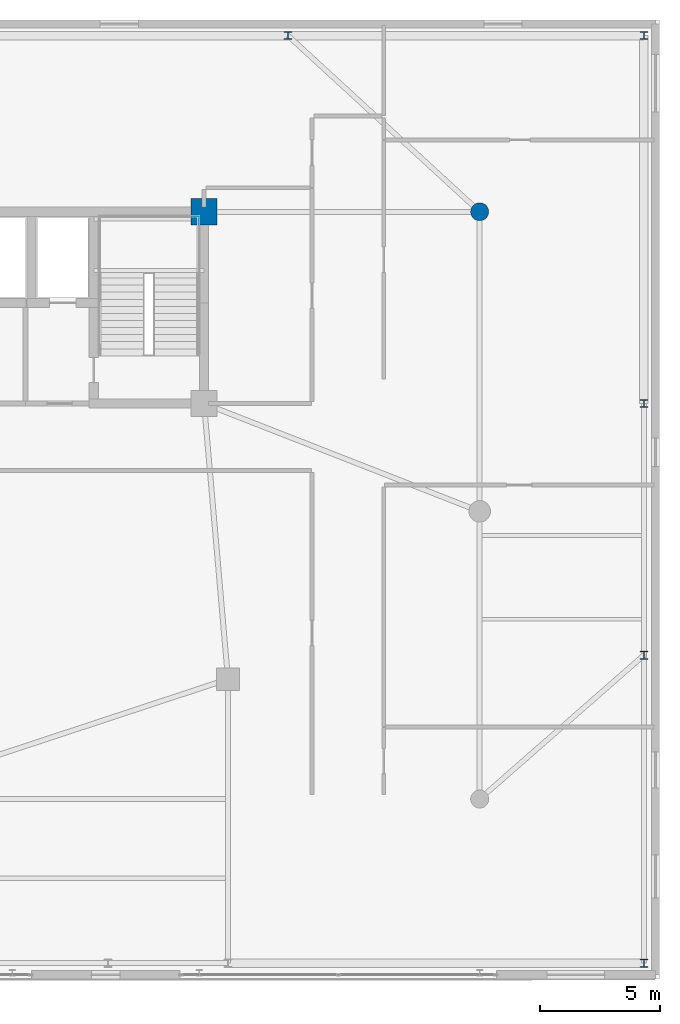
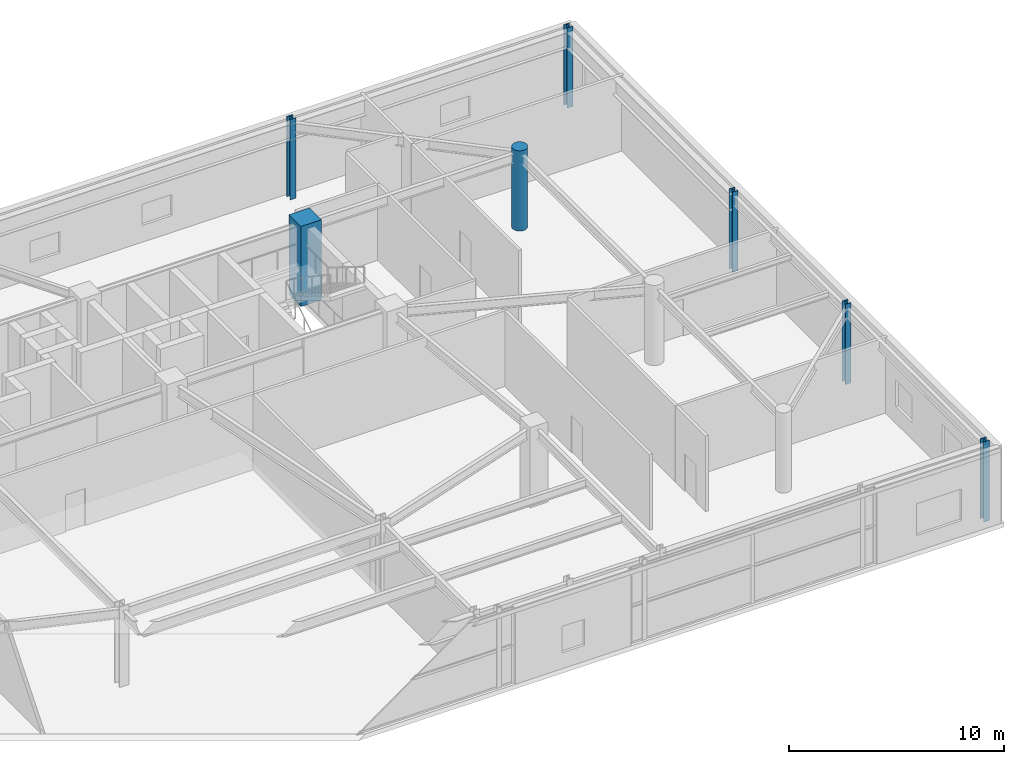
# One storey, part 5 of 26: 7 columns.
"""IFC4 building model written with IfcOpenShell, lengths in metres."""

from ifc_helpers import new_model, si_unit, direction, frame, origin, origin_2d, place, context, subcontext, project, spatial, rectangle, circle, i_section, extrude, source, transform, mapped, material, material_profile, profile_set, type_object, element, save


model = new_model("IFC4")

# Units and contexts
model_context = context("Model", 3, precision=1e-05, world=origin(), true_north=direction((0.0, 1.0)))
body_context = subcontext(model_context, "Body", "Model", "MODEL_VIEW")
ifc_project = project(units=[si_unit("LENGTHUNIT", "METRE"), si_unit("AREAUNIT", "SQUARE_METRE"), si_unit("VOLUMEUNIT", "CUBIC_METRE"), si_unit("PLANEANGLEUNIT", "RADIAN"), si_unit("MASSUNIT", "GRAM", prefix="KILO")], contexts=[model_context])

# Site, building, storey
site_placement = place(None, origin())
site = spatial("IfcSite", under=ifc_project, at=site_placement, CompositionType="ELEMENT")
building_placement = place(site_placement, origin())
building = spatial("IfcBuilding", under=site, at=building_placement, Name="Taldren Reach Tower", CompositionType="ELEMENT")
storey_placement = place(building_placement, frame((0.0, 0.0, 8.39990234375)))
storey = spatial("IfcBuildingStorey", under=building, at=storey_placement, Name="L02", CompositionType="ELEMENT", Elevation=8.39990234375)

# Columns
ifc_material_1 = material(Name="Concrete S100 (100 MPa)", Category="concrete")
ifc_material_profile_1 = material_profile(ifc_material_1, rectangle(XDim=1.10009765625, YDim=1.10009765625, at=origin_2d()), Name="RC-1100x1100")
ifc_profile_set_1 = profile_set([ifc_material_profile_1], Name="Concrete S100 (100 MPa)")
column_type_1 = type_object("IfcColumnType", Name="COL-RC1100", PredefinedType="COLUMN", material=ifc_profile_set_1)
shared_shape_1 = source(origin(), body_context, "Body", "SweptSolid", [
    extrude(rectangle(XDim=1.10009765625, YDim=1.10009765625, at=origin_2d()), origin(), (0.0, 0.0, 1.0), 4.550048828125),
])
column_1_placement = place(storey_placement, frame((51.0, 32.0, 0.0), z_axis=(0.0, 0.0, 1.0), x_axis=(1.0, 0.0, 0.0)))
element("IfcColumn", 1, at=column_1_placement, inside=storey, type_object=column_type_1, Name="Mega column MC-C8 L02", PredefinedType="COLUMN", context=body_context, shape_type="MappedRepresentation", body=[
    mapped(shared_shape_1, transform((0.0, 0.0, 0.0), scale=1.0)),
])
ifc_material_2 = material(Name="Concrete S65 (65 MPa)", Category="concrete")
ifc_material_profile_2 = material_profile(ifc_material_2, circle(Radius=0.375, at=origin_2d()), Name="RC-750D")
ifc_profile_set_2 = profile_set([ifc_material_profile_2], Name="Concrete S65 (65 MPa)")
column_type_2 = type_object("IfcColumnType", Name="COL-RCD750", PredefinedType="COLUMN", material=ifc_profile_set_2)
shared_shape_2 = source(origin(), body_context, "Body", "SweptSolid", [
    extrude(circle(Radius=0.375, at=origin_2d()), origin(), (0.0, 0.0, 1.0), 4.550048828125),
])
column_2_placement = place(storey_placement, frame((62.5, 32.0, 0.0), z_axis=(0.0, 0.0, 1.0), x_axis=(1.0, 0.0, 0.0)))
element("IfcColumn", 2, at=column_2_placement, inside=storey, type_object=column_type_2, Name="Podium structural column PG-6 L02", PredefinedType="COLUMN", context=body_context, shape_type="MappedRepresentation", body=[
    mapped(shared_shape_2, transform((0.0, 0.0, 0.0), scale=1.0)),
])
ifc_material_3 = material(Name="Steel Gr 350 (350PLUS)", Category="steel")
ifc_material_profile_3 = material_profile(ifc_material_3, i_section(OverallWidth=0.31103515625, OverallDepth=0.326904296875, WebThickness=0.015625, FlangeThickness=0.02490234375, at=origin_2d()), Name="310UC158")
ifc_profile_set_3 = profile_set([ifc_material_profile_3], Name="Steel Gr 350 (350PLUS)")
column_type_3 = type_object("IfcColumnType", Name="COL-UC310A", PredefinedType="COLUMN", material=ifc_profile_set_3)
shared_shape_3 = source(origin(), body_context, "Body", "SweptSolid", [
    extrude(i_section(OverallWidth=0.31103515625, OverallDepth=0.326904296875, WebThickness=0.015625, FlangeThickness=0.02490234375, at=origin_2d()), origin(), (0.0, 0.0, 1.0), 4.550048828125),
])
for number, where, z_axis, x_axis, name in (
    (3, (69.35009765625, 0.64990234375, 0.0), (0.0, 0.0, 1.0), (1.0, 0.0, 0.0), "Podium structural column PP-E1 L02"),
    (4, (69.35009765625, 13.5, 0.0), (0.0, 0.0, 1.0), (1.0, 0.0, 0.0), "Podium structural column PP-E2 L02"),
    (5, (69.35009765625, 24.0, 0.0), (0.0, 0.0, 1.0), (1.0, 0.0, 0.0), "Podium structural column PP-E3 L02"),
    (6, (69.35009765625, 39.35009765625, 0.0), (0.0, 0.0, 1.0), (1.0, 0.0, 0.0), "Podium structural column PP-E4 L02"),
    (7, (54.5, 39.35009765625, 0.0), (0.0, 0.0, 1.0), (1.0, 0.0, 0.0), "Podium structural column PP-N3 L02"),
):
    element("IfcColumn", number, at=place(storey_placement, frame(where, z_axis=z_axis, x_axis=x_axis)), inside=storey, type_object=column_type_3, Name=name, PredefinedType="COLUMN", context=body_context, shape_type="MappedRepresentation", body=[
        mapped(shared_shape_3, transform((0.0, 0.0, 0.0), scale=1.0)),
    ])

save(model, "model.ifc")
